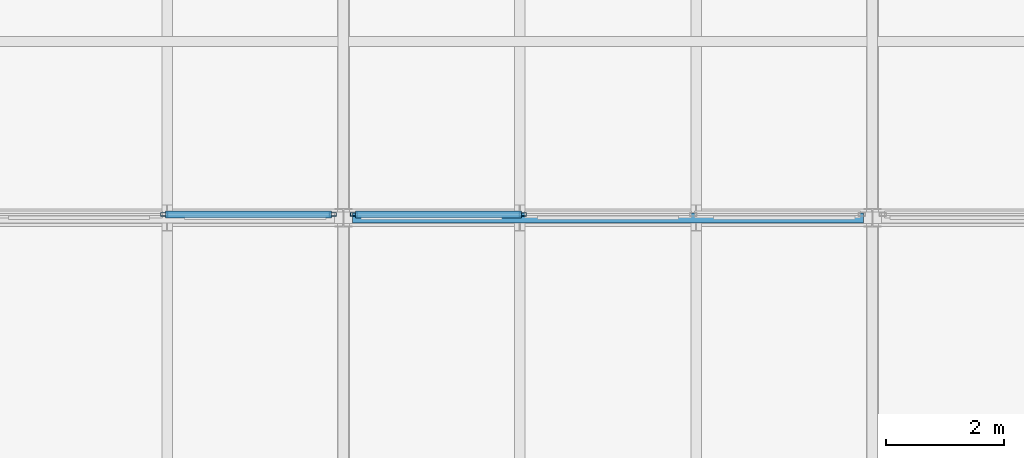
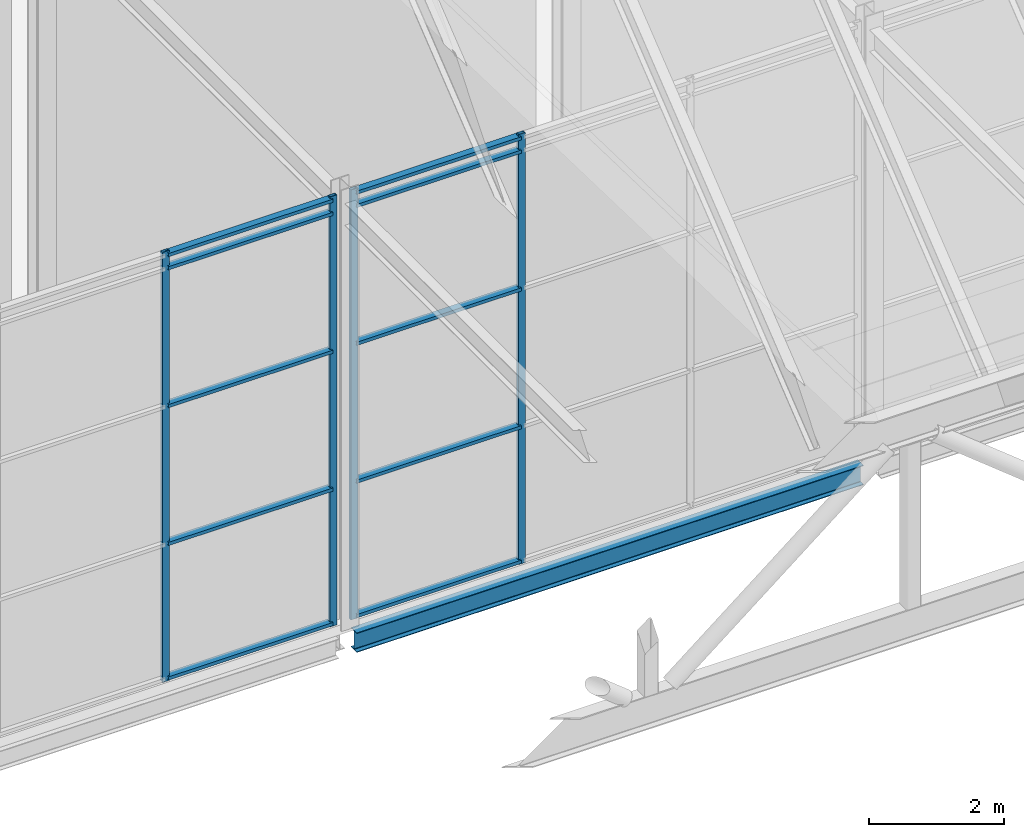
# One storey, part 49 of 144: 14 members, 1 beam, 2 elements without a shape of their own.
"""IFC4 building model written with IfcOpenShell, lengths in metres."""

from ifc_helpers import new_model, si_unit, direction, frame, origin, origin_2d, place, context, subcontext, project, spatial, hollow_rectangle, i_section, extrude, material, layer, layer_set, material_profile, profile_set, type_object, element, aggregate, save


model = new_model("IFC4")

# Units and contexts
model_context = context("Model", 3, precision=1e-05, world=origin(), true_north=direction((0.0, 1.0)))
body_context = subcontext(model_context, "Body", "Model", "MODEL_VIEW")
ifc_project = project(units=[si_unit("LENGTHUNIT", "METRE"), si_unit("AREAUNIT", "SQUARE_METRE"), si_unit("VOLUMEUNIT", "CUBIC_METRE"), si_unit("PLANEANGLEUNIT", "RADIAN"), si_unit("MASSUNIT", "GRAM", prefix="KILO")], contexts=[model_context])

# Site, building, storey
site_placement = place(None, origin())
site = spatial("IfcSite", under=ifc_project, at=site_placement, CompositionType="ELEMENT")
building_placement = place(site_placement, origin())
building = spatial("IfcBuilding", under=site, at=building_placement, Name="Shorebreak Coast Museum", CompositionType="ELEMENT")
storey_placement = place(building_placement, frame((0.0, 0.0, 36.0)))
storey = spatial("IfcBuildingStorey", under=building, at=storey_placement, Name="L06", CompositionType="ELEMENT", Elevation=36.0)

# Beam
ifc_material_1 = material(Name="Steel Grade 300", Category="steel")
ifc_material_profile_1 = material_profile(ifc_material_1, i_section(OverallWidth=0.1708984375, OverallDepth=0.355712890625, WebThickness=0.00732421875, FlangeThickness=0.011474609375, FilletRadius=0.011474609375, at=origin_2d()), Name="360UB50.7")
ifc_profile_set_1 = profile_set([ifc_material_profile_1], Name="Steel Grade 300")
beam_type = type_object("IfcBeamType", Name="Floor girder east-west 360UB50.7", PredefinedType="BEAM", material=ifc_profile_set_1)
beam_placement = place(storey_placement, frame((81.153564453125, 81.0, -0.352783203125), z_axis=(1.0, 0.0, 0.0), x_axis=(0.0, 1.0, 0.0)))
element("IfcBeam", 1, at=beam_placement, inside=storey, type_object=beam_type, Name="Floor girder east-west L06 10K", PredefinedType="BEAM", context=body_context, shape_type="SweptSolid", body=[
    extrude(i_section(OverallWidth=0.1708984375, OverallDepth=0.355712890625, WebThickness=0.00732421875, FlangeThickness=0.011474609375, FilletRadius=0.011474609375, at=origin_2d()), origin(), (0.0, 0.0, 1.0), 8.69287109375),
])

# Curtain wall, members
ifc_material_2 = material(Name="Aluminium", Category="aluminium")
ifc_layer = layer(ifc_material_2, 0.1201171875)
ifc_layer_set = layer_set([ifc_layer], Name="Aluminium")
curtain_wall_type = type_object("IfcCurtainWallType", Name="Atrium fire screen", PredefinedType="NOTDEFINED", material=ifc_layer_set)
curtain_wall_1_placement = place(storey_placement, origin())
curtain_wall_1 = element("IfcCurtainWall", 2, at=curtain_wall_1_placement, inside=storey, type_object=curtain_wall_type, Name="Atrium screen L06 N 85", PredefinedType="NOTDEFINED")
ifc_material_3 = material(Name="Aluminium", Category="aluminium")
ifc_material_profile_2 = material_profile(ifc_material_3, hollow_rectangle(XDim=0.06005859375, YDim=0.1201171875, WallThickness=0.00341796875, at=origin_2d()), Name="AL 120x60 RHS")
ifc_profile_set_2 = profile_set([ifc_material_profile_2], Name="Aluminium")
member_type_1 = type_object("IfcMemberType", Name="Screen mullion 50 x 120", PredefinedType="MULLION", material=ifc_profile_set_2)
member_1_placement = place(storey_placement, frame((77.94873046875, 81.06005859375, 0.0), z_axis=(0.0, 0.0, 1.0), x_axis=(0.0, 1.0, 0.0)))
member_1 = element("IfcMember", 3, at=member_1_placement, type_object=member_type_1, Name="CW5 mullion 3", PredefinedType="MULLION", context=body_context, shape_type="SweptSolid", body=[
    extrude(hollow_rectangle(XDim=0.06005859375, YDim=0.1201171875, WallThickness=0.00341796875, at=origin_2d()), origin(), (0.0, 0.0, 1.0), 7.800048828125),
])
member_2_placement = place(storey_placement, frame((80.821533203125, 81.06005859375, 0.0), z_axis=(0.0, 0.0, 1.0), x_axis=(0.0, 1.0, 0.0)))
member_2 = element("IfcMember", 4, at=member_2_placement, type_object=member_type_1, Name="CW5 mullion 4", PredefinedType="MULLION", context=body_context, shape_type="SweptSolid", body=[
    extrude(hollow_rectangle(XDim=0.06005859375, YDim=0.1201171875, WallThickness=0.00341796875, at=origin_2d()), origin(), (0.0, 0.0, 1.0), 7.800048828125),
])

curtain_wall_2_placement = place(storey_placement, origin())
curtain_wall_2 = element("IfcCurtainWall", 5, at=curtain_wall_2_placement, inside=storey, type_object=curtain_wall_type, Name="Atrium screen L06 N 86", PredefinedType="NOTDEFINED")
member_3_placement = place(storey_placement, frame((81.178466796875, 81.06005859375, 0.0), z_axis=(0.0, 0.0, 1.0), x_axis=(0.0, 1.0, 0.0)))
member_3 = element("IfcMember", 6, at=member_3_placement, type_object=member_type_1, Name="CW6 mullion 1", PredefinedType="MULLION", context=body_context, shape_type="SweptSolid", body=[
    extrude(hollow_rectangle(XDim=0.06005859375, YDim=0.1201171875, WallThickness=0.00341796875, at=origin_2d()), origin(), (0.0, 0.0, 1.0), 7.800048828125),
])
member_4_placement = place(storey_placement, frame((84.05126953125, 81.06005859375, 0.0), z_axis=(0.0, 0.0, 1.0), x_axis=(0.0, 1.0, 0.0)))
member_4 = element("IfcMember", 7, at=member_4_placement, type_object=member_type_1, Name="CW6 mullion 2", PredefinedType="MULLION", context=body_context, shape_type="SweptSolid", body=[
    extrude(hollow_rectangle(XDim=0.06005859375, YDim=0.1201171875, WallThickness=0.00341796875, at=origin_2d()), origin(), (0.0, 0.0, 1.0), 7.800048828125),
])

# Member
ifc_material_4 = material(Name="Aluminium", Category="aluminium")
ifc_material_profile_3 = material_profile(ifc_material_4, hollow_rectangle(XDim=0.1201171875, YDim=0.06005859375, WallThickness=0.00341796875, at=origin_2d()), Name="AL 60x120 RHS")
ifc_profile_set_3 = profile_set([ifc_material_profile_3], Name="Aluminium")
member_type_2 = type_object("IfcMemberType", Name="Screen transom 120 x 50", PredefinedType="USERDEFINED", material=ifc_profile_set_3)
member_5_placement = place(storey_placement, frame((77.973876953125, 81.06005859375, 0.06005859375), z_axis=(1.0, 0.0, 0.0), x_axis=(0.0, 1.0, 0.0)))
member_5 = element("IfcMember", 8, at=member_5_placement, type_object=member_type_2, Name="CW5 transom 3.1", ObjectType="TRANSOM", PredefinedType="USERDEFINED", context=body_context, shape_type="SweptSolid", body=[
    extrude(hollow_rectangle(XDim=0.1201171875, YDim=0.06005859375, WallThickness=0.00341796875, at=origin_2d()), origin(), (0.0, 0.0, 1.0), 2.822509765625),
])

member_6_placement = place(storey_placement, frame((77.973876953125, 81.06005859375, 2.5), z_axis=(1.0, 0.0, 0.0), x_axis=(0.0, 1.0, 0.0)))
member_6 = element("IfcMember", 9, at=member_6_placement, type_object=member_type_2, Name="CW5 transom 3.2", ObjectType="TRANSOM", PredefinedType="USERDEFINED", context=body_context, shape_type="SweptSolid", body=[
    extrude(hollow_rectangle(XDim=0.1201171875, YDim=0.06005859375, WallThickness=0.00341796875, at=origin_2d()), origin(), (0.0, 0.0, 1.0), 2.822509765625),
])

member_7_placement = place(storey_placement, frame((77.973876953125, 81.06005859375, 5.0), z_axis=(1.0, 0.0, 0.0), x_axis=(0.0, 1.0, 0.0)))
member_7 = element("IfcMember", 10, at=member_7_placement, type_object=member_type_2, Name="CW5 transom 3.3", ObjectType="TRANSOM", PredefinedType="USERDEFINED", context=body_context, shape_type="SweptSolid", body=[
    extrude(hollow_rectangle(XDim=0.1201171875, YDim=0.06005859375, WallThickness=0.00341796875, at=origin_2d()), origin(), (0.0, 0.0, 1.0), 2.822509765625),
])

member_8_placement = place(storey_placement, frame((77.973876953125, 81.06005859375, 7.5), z_axis=(1.0, 0.0, 0.0), x_axis=(0.0, 1.0, 0.0)))
member_8 = element("IfcMember", 11, at=member_8_placement, type_object=member_type_2, Name="CW5 transom 3.4", ObjectType="TRANSOM", PredefinedType="USERDEFINED", context=body_context, shape_type="SweptSolid", body=[
    extrude(hollow_rectangle(XDim=0.1201171875, YDim=0.06005859375, WallThickness=0.00341796875, at=origin_2d()), origin(), (0.0, 0.0, 1.0), 2.822509765625),
])

member_9_placement = place(storey_placement, frame((77.973876953125, 81.06005859375, 7.739990234375), z_axis=(1.0, 0.0, 0.0), x_axis=(0.0, 1.0, 0.0)))
member_9 = element("IfcMember", 12, at=member_9_placement, type_object=member_type_2, Name="CW5 transom 3.5", ObjectType="TRANSOM", PredefinedType="USERDEFINED", context=body_context, shape_type="SweptSolid", body=[
    extrude(hollow_rectangle(XDim=0.1201171875, YDim=0.06005859375, WallThickness=0.00341796875, at=origin_2d()), origin(), (0.0, 0.0, 1.0), 2.822509765625),
])

aggregate(curtain_wall_1, [member_1, member_2, member_5, member_6, member_7, member_8, member_9])

member_10_placement = place(storey_placement, frame((81.20361328125, 81.06005859375, 0.06005859375), z_axis=(1.0, 0.0, 0.0), x_axis=(0.0, 1.0, 0.0)))
member_10 = element("IfcMember", 13, at=member_10_placement, type_object=member_type_2, Name="CW6 transom 1.1", ObjectType="TRANSOM", PredefinedType="USERDEFINED", context=body_context, shape_type="SweptSolid", body=[
    extrude(hollow_rectangle(XDim=0.1201171875, YDim=0.06005859375, WallThickness=0.00341796875, at=origin_2d()), origin(), (0.0, 0.0, 1.0), 2.822509765625),
])

member_11_placement = place(storey_placement, frame((81.20361328125, 81.06005859375, 2.5), z_axis=(1.0, 0.0, 0.0), x_axis=(0.0, 1.0, 0.0)))
member_11 = element("IfcMember", 14, at=member_11_placement, type_object=member_type_2, Name="CW6 transom 1.2", ObjectType="TRANSOM", PredefinedType="USERDEFINED", context=body_context, shape_type="SweptSolid", body=[
    extrude(hollow_rectangle(XDim=0.1201171875, YDim=0.06005859375, WallThickness=0.00341796875, at=origin_2d()), origin(), (0.0, 0.0, 1.0), 2.822509765625),
])

member_12_placement = place(storey_placement, frame((81.20361328125, 81.06005859375, 5.0), z_axis=(1.0, 0.0, 0.0), x_axis=(0.0, 1.0, 0.0)))
member_12 = element("IfcMember", 15, at=member_12_placement, type_object=member_type_2, Name="CW6 transom 1.3", ObjectType="TRANSOM", PredefinedType="USERDEFINED", context=body_context, shape_type="SweptSolid", body=[
    extrude(hollow_rectangle(XDim=0.1201171875, YDim=0.06005859375, WallThickness=0.00341796875, at=origin_2d()), origin(), (0.0, 0.0, 1.0), 2.822509765625),
])

member_13_placement = place(storey_placement, frame((81.20361328125, 81.06005859375, 7.5), z_axis=(1.0, 0.0, 0.0), x_axis=(0.0, 1.0, 0.0)))
member_13 = element("IfcMember", 16, at=member_13_placement, type_object=member_type_2, Name="CW6 transom 1.4", ObjectType="TRANSOM", PredefinedType="USERDEFINED", context=body_context, shape_type="SweptSolid", body=[
    extrude(hollow_rectangle(XDim=0.1201171875, YDim=0.06005859375, WallThickness=0.00341796875, at=origin_2d()), origin(), (0.0, 0.0, 1.0), 2.822509765625),
])

member_14_placement = place(storey_placement, frame((81.20361328125, 81.06005859375, 7.739990234375), z_axis=(1.0, 0.0, 0.0), x_axis=(0.0, 1.0, 0.0)))
member_14 = element("IfcMember", 17, at=member_14_placement, type_object=member_type_2, Name="CW6 transom 1.5", ObjectType="TRANSOM", PredefinedType="USERDEFINED", context=body_context, shape_type="SweptSolid", body=[
    extrude(hollow_rectangle(XDim=0.1201171875, YDim=0.06005859375, WallThickness=0.00341796875, at=origin_2d()), origin(), (0.0, 0.0, 1.0), 2.822509765625),
])

aggregate(curtain_wall_2, [member_3, member_4, member_10, member_11, member_12, member_13, member_14])

save(model, "model.ifc")
